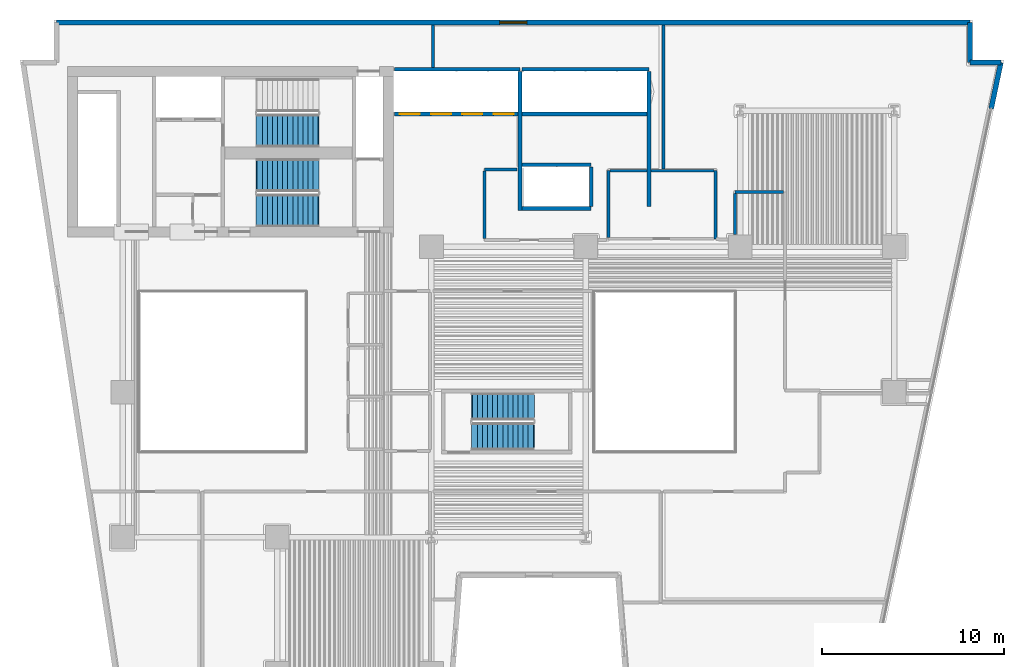
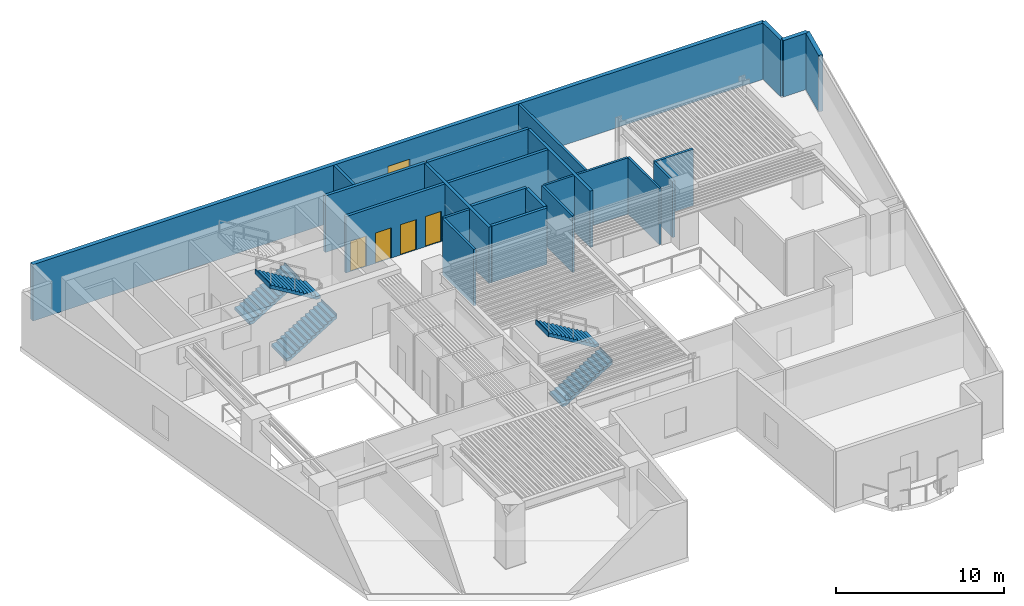
# One storey, part 6 of 11: 23 walls, 5 stair flights, 4 doors, 1 window, 5 openings, 3 elements without a shape of their own.
"""IFC4 building model written with IfcOpenShell, lengths in metres."""

from ifc_helpers import new_model, si_unit, direction, frame, frame_2d, origin, place, context, subcontext, project, spatial, polyline, rectangle, outline, extrude, material, layer, layer_set, type_object, element, fill, aggregate, save


model = new_model("IFC4")

# Units and contexts
model_context = context("Model", 3, precision=1e-05, world=origin(), true_north=direction((0.0, 1.0)))
body_context = subcontext(model_context, "Body", "Model", "MODEL_VIEW")
ifc_project = project(units=[si_unit("LENGTHUNIT", "METRE"), si_unit("AREAUNIT", "SQUARE_METRE"), si_unit("VOLUMEUNIT", "CUBIC_METRE"), si_unit("PLANEANGLEUNIT", "RADIAN"), si_unit("MASSUNIT", "GRAM", prefix="KILO")], contexts=[model_context])

# Site, building, storey
site_placement = place(None, origin())
site = spatial("IfcSite", under=ifc_project, at=site_placement, CompositionType="ELEMENT")
building_placement = place(site_placement, origin())
building = spatial("IfcBuilding", under=site, at=building_placement, Name="Caeloran Harvest Quay", CompositionType="ELEMENT")
storey_placement = place(building_placement, frame((0.0, 0.0, 40.199951171875)))
storey = spatial("IfcBuildingStorey", under=building, at=storey_placement, Name="L09", CompositionType="ELEMENT", Elevation=40.199951171875)

# Wall, opening, window
ifc_material_1 = material(Name="Precast concrete C50/60", Category="concrete")
ifc_layer_1 = layer(ifc_material_1, 0.280029296875, Name="Precast concrete C50/60")
ifc_layer_set_1 = layer_set([ifc_layer_1], Name="Precast concrete C50/60")
wall_type_1 = type_object("IfcWallType", Name="ENV-WALL-EW-280", PredefinedType="STANDARD", material=ifc_layer_set_1)
wall_1_placement = place(storey_placement, frame((4.840087890625, 43.360107421875, 0.0), z_axis=(0.0, 0.0, 1.0), x_axis=(1.0, 0.0, 0.0)))
wall_1 = element("IfcWall", 1, at=wall_1_placement, inside=storey, type_object=wall_type_1, Name="L09 Exterior Precast Concrete Facade Wall 6", PredefinedType="STANDARD", context=body_context, shape_type="SweptSolid", body=[
    extrude(rectangle(XDim=50.31982421875, YDim=0.280029296875, at=frame_2d((25.159912109375, 0.0))), origin(), (0.0, 0.0, 1.0), 4.10009765625),
])
opening_1_placement = place(wall_1_placement, frame((24.409912109375, 0.0, 0.89990234375)))
opening_1 = element("IfcOpeningElement", 2, at=opening_1_placement, cuts=wall_1, Name="Opening W-03", PredefinedType="OPENING", context=body_context, shape_type="SweptSolid", body=[
    extrude(rectangle(XDim=1.5, YDim=1.800048828125, at=frame_2d((0.75, 0.89990234375))), frame((0.0, 0.14990234375, 0.0), z_axis=(0.0, -1.0, 0.0), x_axis=(1.0, 0.0, 0.0)), (0.0, 0.0, 1.0), 0.300048828125),
])
ifc_material_2 = material(Name="Aluminium-Framed Low-E Laminated Glass", Category="aluminium")
window_type = type_object("IfcWindowType", Name="WIN-W-03", PartitioningType="SINGLE_PANEL", PredefinedType="WINDOW", material=ifc_material_2)
window_placement = place(opening_1_placement, origin())
window = element("IfcWindow", 3, at=window_placement, inside=storey, type_object=window_type, Name="L09 Facade Punched Window W-03", OverallHeight=1.800048828125, OverallWidth=1.5, PartitioningType="SINGLE_PANEL", PredefinedType="WINDOW", context=body_context, shape_type="SweptSolid", body=[
    extrude(rectangle(XDim=1.5, YDim=1.800048828125, at=frame_2d((0.75, 0.89990234375))), frame((0.0, 0.030029296875, 0.0), z_axis=(0.0, -1.0, 0.0), x_axis=(1.0, 0.0, 0.0)), (0.0, 0.0, 1.0), 0.06005859375),
])
fill(opening_1, window)

# Walls
wall_2_placement = place(storey_placement, frame((55.159912109375, 43.360107421875, 0.0), z_axis=(0.0, 0.0, 1.0), x_axis=(0.0, -1.0, 0.0)))
element("IfcWall", 4, at=wall_2_placement, inside=storey, type_object=wall_type_1, Name="L09 Exterior Precast Concrete Facade Wall 7", PredefinedType="STANDARD", context=body_context, shape_type="SweptSolid", body=[
    extrude(rectangle(XDim=2.2001953125, YDim=0.280029296875, at=frame_2d((1.10009765625, 0.0))), origin(), (0.0, 0.0, 1.0), 4.10009765625),
])
wall_3_placement = place(storey_placement, frame((55.159912109375, 41.159912109375, 0.0), z_axis=(0.0, 0.0, 1.0), x_axis=(1.0, 0.0, 0.0)))
element("IfcWall", 5, at=wall_3_placement, inside=storey, type_object=wall_type_1, Name="L09 Exterior Precast Concrete Facade Wall 8", PredefinedType="STANDARD", context=body_context, shape_type="SweptSolid", body=[
    extrude(rectangle(XDim=1.705322265625, YDim=0.280029296875, at=frame_2d((0.8525390625, 0.0))), origin(), (0.0, 0.0, 1.0), 4.10009765625),
])
wall_4_placement = place(storey_placement, frame((56.865234375, 41.159912109375, 0.0), z_axis=(0.0, 0.0, 1.0), x_axis=(-0.205551409765, -0.978646319128, 0.0)))
element("IfcWall", 6, at=wall_4_placement, inside=storey, type_object=wall_type_1, Name="L09 Exterior Facade Corner Pier Wall 9A", PredefinedType="STANDARD", context=body_context, shape_type="SweptSolid", body=[
    extrude(rectangle(XDim=2.599853515625, YDim=0.280029296875, at=frame_2d((1.2998046875, 0.0))), origin(), (0.0, 0.0, 1.0), 4.10009765625),
])
ifc_material_3 = material(Name="Autoclaved Aerated Concrete Blockwork and Plasterboard", Category="masonry")
ifc_layer_2 = layer(ifc_material_3, 0.14990234375, Name="Autoclaved Aerated Concrete Blockwork and Plasterboard")
ifc_layer_set_2 = layer_set([ifc_layer_2], Name="Autoclaved Aerated Concrete Blockwork and Plasterboard")
wall_type_2 = type_object("IfcWallType", Name="INT-WALL-PW-150", PredefinedType="PARTITIONING", material=ifc_layer_set_2)
wall_5_placement = place(storey_placement, frame((41.14990234375, 35.199951171875, 0.0), z_axis=(0.0, 0.0, 1.0), x_axis=(0.0, -1.0, 0.0)))
element("IfcWall", 7, at=wall_5_placement, inside=storey, type_object=wall_type_2, Name="L09 Core Telemetry Control Room Partition Wall", PredefinedType="PARTITIONING", context=body_context, shape_type="SweptSolid", body=[
    extrude(rectangle(XDim=3.75, YDim=0.14990234375, at=frame_2d((1.875, 0.0))), origin(), (0.0, 0.0, 1.0), 4.10009765625),
])
wall_6_placement = place(storey_placement, frame((35.25, 31.530029296875, 0.0), z_axis=(0.0, 0.0, 1.0), x_axis=(0.0, 1.0, 0.0)))
element("IfcWall", 8, at=wall_6_placement, inside=storey, type_object=wall_type_2, Name="L09 Core Telemetry Control Room Partition Wall", PredefinedType="PARTITIONING", context=body_context, shape_type="SweptSolid", body=[
    extrude(rectangle(XDim=3.669921875, YDim=0.14990234375, at=frame_2d((1.8349609375, 0.0))), origin(), (0.0, 0.0, 1.0), 4.10009765625),
])
wall_7_placement = place(storey_placement, frame((35.330078125, 35.199951171875, 0.0), z_axis=(0.0, 0.0, 1.0), x_axis=(1.0, 0.0, 0.0)))
element("IfcWall", 9, at=wall_7_placement, inside=storey, type_object=wall_type_2, Name="L09 Core Telemetry Control Room Partition Wall", PredefinedType="PARTITIONING", context=body_context, shape_type="SweptSolid", body=[
    extrude(rectangle(XDim=2.044921875, YDim=0.14990234375, at=frame_2d((1.0224609375, 0.0))), origin(), (0.0, 0.0, 1.0), 4.10009765625),
])
wall_8_placement = place(storey_placement, frame((37.5849609375, 35.199951171875, 0.0), z_axis=(0.0, 0.0, 1.0), x_axis=(1.0, 0.0, 0.0)))
element("IfcWall", 10, at=wall_8_placement, inside=storey, type_object=wall_type_2, Name="L09 Core Telemetry Control Room Partition Wall", PredefinedType="PARTITIONING", context=body_context, shape_type="SweptSolid", body=[
    extrude(rectangle(XDim=3.485107421875, YDim=0.14990234375, at=frame_2d((1.74267578125, 0.0))), origin(), (0.0, 0.0, 1.0), 4.10009765625),
])
ifc_material_4 = material(Name="Autoclaved Aerated Concrete Blockwork", Category="masonry")
ifc_layer_3 = layer(ifc_material_4, 0.1650390625, Name="Autoclaved Aerated Concrete Blockwork")
ifc_layer_set_3 = layer_set([ifc_layer_3], Name="Autoclaved Aerated Concrete Blockwork")
wall_type_3 = type_object("IfcWallType", Name="INT-WALL-PW-165", PredefinedType="PARTITIONING", material=ifc_layer_set_3)
wall_9_placement = place(storey_placement, frame((38.280029296875, 35.280029296875, 0.0), z_axis=(0.0, 0.0, 1.0), x_axis=(0.0, 1.0, 0.0)))
element("IfcWall", 11, at=wall_9_placement, inside=storey, type_object=wall_type_3, Name="Agronomy Break Kitchen Partition Wall", PredefinedType="PARTITIONING", context=body_context, shape_type="SweptSolid", body=[
    extrude(rectangle(XDim=7.93505859375, YDim=0.1650390625, at=frame_2d((3.967529296875, 0.0))), origin(), (0.0, 0.0, 1.0), 4.10009765625),
])
wall_10_placement = place(storey_placement, frame((44.892578125, 34.030029296875, 0.0), z_axis=(0.0, 0.0, 1.0), x_axis=(-1.0, 0.0, 0.0)))
element("IfcWall", 12, at=wall_10_placement, inside=storey, type_object=wall_type_3, Name="Agronomy Break Kitchen Partition Wall", PredefinedType="PARTITIONING", context=body_context, shape_type="SweptSolid", body=[
    extrude(rectangle(XDim=2.672607421875, YDim=0.1650390625, at=frame_2d((1.33642578125, 0.0))), origin(), (0.0, 0.0, 1.0), 4.10009765625),
])
wall_11_placement = place(storey_placement, frame((42.219970703125, 33.9423828125, 0.0), z_axis=(0.0, 0.0, 1.0), x_axis=(0.0, -1.0, 0.0)))
element("IfcWall", 13, at=wall_11_placement, inside=storey, type_object=wall_type_3, Name="Agronomy Break Kitchen Partition Wall", PredefinedType="PARTITIONING", context=body_context, shape_type="SweptSolid", body=[
    extrude(rectangle(XDim=2.267333984375, YDim=0.1650390625, at=frame_2d((1.1337890625, 0.0))), origin(), (0.0, 0.0, 1.0), 4.10009765625),
])
wall_12_placement = place(storey_placement, frame((28.429931640625, 35.27001953125, 0.0), z_axis=(0.0, 0.0, 1.0), x_axis=(1.0, 0.0, 0.0)))
element("IfcWall", 14, at=wall_12_placement, inside=storey, type_object=wall_type_3, Name="Saffron and Herb Vertical Growing Room 9 Partition Wall", PredefinedType="PARTITIONING", context=body_context, shape_type="SweptSolid", body=[
    extrude(rectangle(XDim=1.7900390625, YDim=0.1650390625, at=frame_2d((0.89501953125, 0.0))), origin(), (0.0, 0.0, 1.0), 4.10009765625),
])
wall_13_placement = place(storey_placement, frame((25.580078125, 40.885009765625, 0.0), z_axis=(0.0, 0.0, 1.0), x_axis=(0.0, 1.0, 0.0)))
element("IfcWall", 15, at=wall_13_placement, inside=storey, type_object=wall_type_3, Name="Saffron and Herb Vertical Growing Room 9 Partition Wall", PredefinedType="PARTITIONING", context=body_context, shape_type="SweptSolid", body=[
    extrude(rectangle(XDim=2.330078125, YDim=0.1650390625, at=frame_2d((1.1650390625, 0.0))), origin(), (0.0, 0.0, 1.0), 4.10009765625),
])
wall_14_placement = place(storey_placement, frame((28.429931640625, 31.467529296875, 0.0), z_axis=(0.0, 0.0, 1.0), x_axis=(0.0, 1.0, 0.0)))
element("IfcWall", 16, at=wall_14_placement, inside=storey, type_object=wall_type_3, Name="Saffron and Herb Vertical Growing Room 9 Partition Wall", PredefinedType="PARTITIONING", context=body_context, shape_type="SweptSolid", body=[
    extrude(rectangle(XDim=3.715087890625, YDim=0.1650390625, at=frame_2d((1.857421875, 0.0))), origin(), (0.0, 0.0, 1.0), 4.10009765625),
])
ifc_material_5 = material(Name="Concrete C50/60", Category="concrete")
ifc_layer_4 = layer(ifc_material_5, 0.199951171875, Name="Concrete C50/60")
ifc_layer_set_4 = layer_set([ifc_layer_4], Name="Concrete C50/60")
wall_type_4 = type_object("IfcWallType", Name="INT-WALL-SW-200", PredefinedType="PARTITIONING", material=ifc_layer_set_4)
wall_15_placement = place(storey_placement, frame((23.469970703125, 40.780029296875, 0.0), z_axis=(0.0, 0.0, 1.0), x_axis=(1.0, 0.0, 0.0)))
element("IfcWall", 17, at=wall_15_placement, inside=storey, type_object=wall_type_4, Name="L09 Bank 1 Lift Shaft North Wall", PredefinedType="PARTITIONING", context=body_context, shape_type="SweptSolid", body=[
    extrude(rectangle(XDim=6.909912109375, YDim=0.199951171875, at=frame_2d((3.455078125, 0.0))), origin(), (0.0, 0.0, 1.0), 4.10009765625),
])
wall_16_placement = place(storey_placement, frame((30.3798828125, 33.02001953125, 0.0), z_axis=(0.0, 0.0, 1.0), x_axis=(0.0, 1.0, 0.0)))
element("IfcWall", 18, at=wall_16_placement, inside=storey, type_object=wall_type_4, Name="L09 Bank 1 Lift Shaft East Wall", PredefinedType="PARTITIONING", context=body_context, shape_type="SweptSolid", body=[
    extrude(rectangle(XDim=7.639892578125, YDim=0.199951171875, at=frame_2d((3.81982421875, 0.0))), origin(), (0.0, 0.0, 1.0), 4.10009765625),
])

# Wall, openings, doors
wall_17_placement = place(storey_placement, frame((23.469970703125, 38.320068359375, 0.0), z_axis=(0.0, 0.0, 1.0), x_axis=(1.0, 0.0, 0.0)))
wall_17 = element("IfcWall", 19, at=wall_17_placement, inside=storey, type_object=wall_type_4, Name="L09 Bank 1 Lift Landing Front Wall", PredefinedType="PARTITIONING", context=body_context, shape_type="SweptSolid", body=[
    extrude(rectangle(XDim=6.7900390625, YDim=0.199951171875, at=frame_2d((3.39501953125, 0.0))), origin(), (0.0, 0.0, 1.0), 4.10009765625),
])
opening_2_placement = place(wall_17_placement, frame((0.2900390625, 0.0, 0.0)))
opening_2 = element("IfcOpeningElement", 20, at=opening_2_placement, cuts=wall_17, Name="Opening LD-01", PredefinedType="OPENING", context=body_context, shape_type="SweptSolid", body=[
    extrude(rectangle(XDim=1.10009765625, YDim=2.199951171875, at=frame_2d((0.550048828125, 1.10009765625))), frame((0.0, 0.10986328125, 0.0), z_axis=(0.0, -1.0, 0.0), x_axis=(1.0, 0.0, 0.0)), (0.0, 0.0, 1.0), 0.219970703125),
])
opening_3_placement = place(wall_17_placement, frame((2.010009765625, 0.0, 0.0)))
opening_3 = element("IfcOpeningElement", 21, at=opening_3_placement, cuts=wall_17, Name="Opening LD-01", PredefinedType="OPENING", context=body_context, shape_type="SweptSolid", body=[
    extrude(rectangle(XDim=1.10009765625, YDim=2.199951171875, at=frame_2d((0.550048828125, 1.10009765625))), frame((0.0, 0.10986328125, 0.0), z_axis=(0.0, -1.0, 0.0), x_axis=(1.0, 0.0, 0.0)), (0.0, 0.0, 1.0), 0.219970703125),
])
opening_4_placement = place(wall_17_placement, frame((3.72998046875, 0.0, 0.0)))
opening_4 = element("IfcOpeningElement", 22, at=opening_4_placement, cuts=wall_17, Name="Opening LD-01", PredefinedType="OPENING", context=body_context, shape_type="SweptSolid", body=[
    extrude(rectangle(XDim=1.10009765625, YDim=2.199951171875, at=frame_2d((0.550048828125, 1.10009765625))), frame((0.0, 0.10986328125, 0.0), z_axis=(0.0, -1.0, 0.0), x_axis=(1.0, 0.0, 0.0)), (0.0, 0.0, 1.0), 0.219970703125),
])
opening_5_placement = place(wall_17_placement, frame((5.449951171875, 0.0, 0.0)))
opening_5 = element("IfcOpeningElement", 23, at=opening_5_placement, cuts=wall_17, Name="Opening LD-01", PredefinedType="OPENING", context=body_context, shape_type="SweptSolid", body=[
    extrude(rectangle(XDim=1.10009765625, YDim=2.199951171875, at=frame_2d((0.550048828125, 1.10009765625))), frame((0.0, 0.10986328125, 0.0), z_axis=(0.0, -1.0, 0.0), x_axis=(1.0, 0.0, 0.0)), (0.0, 0.0, 1.0), 0.219970703125),
])
ifc_material_6 = material(Name="Stainless Steel Grade 316", Category="steel")
door_type = type_object("IfcDoorType", Name="INTDOOR-LD-01", OperationType="NOTDEFINED", PredefinedType="DOOR", material=ifc_material_6)
door_1_placement = place(opening_2_placement, origin())
door_1 = element("IfcDoor", 24, at=door_1_placement, inside=storey, type_object=door_type, Name="Lift P1-1 Sliding Landing Door (L09)", OperationType="DOUBLE_DOOR_SLIDING", OverallHeight=2.199951171875, OverallWidth=1.10009765625, PredefinedType="DOOR", context=body_context, shape_type="SweptSolid", body=[
    extrude(rectangle(XDim=1.10009765625, YDim=2.199951171875, at=frame_2d((0.550048828125, 1.10009765625))), frame((0.0, 0.02490234375, 0.0), z_axis=(0.0, -1.0, 0.0), x_axis=(1.0, 0.0, 0.0)), (0.0, 0.0, 1.0), 0.050048828125),
])
fill(opening_2, door_1)
door_2_placement = place(opening_3_placement, origin())
door_2 = element("IfcDoor", 25, at=door_2_placement, inside=storey, type_object=door_type, Name="Lift P1-2 Sliding Landing Door (L09)", OperationType="DOUBLE_DOOR_SLIDING", OverallHeight=2.199951171875, OverallWidth=1.10009765625, PredefinedType="DOOR", context=body_context, shape_type="SweptSolid", body=[
    extrude(rectangle(XDim=1.10009765625, YDim=2.199951171875, at=frame_2d((0.550048828125, 1.10009765625))), frame((0.0, 0.02490234375, 0.0), z_axis=(0.0, -1.0, 0.0), x_axis=(1.0, 0.0, 0.0)), (0.0, 0.0, 1.0), 0.050048828125),
])
fill(opening_3, door_2)
door_3_placement = place(opening_4_placement, origin())
door_3 = element("IfcDoor", 26, at=door_3_placement, inside=storey, type_object=door_type, Name="Lift P1-3 Sliding Landing Door (L09)", OperationType="DOUBLE_DOOR_SLIDING", OverallHeight=2.199951171875, OverallWidth=1.10009765625, PredefinedType="DOOR", context=body_context, shape_type="SweptSolid", body=[
    extrude(rectangle(XDim=1.10009765625, YDim=2.199951171875, at=frame_2d((0.550048828125, 1.10009765625))), frame((0.0, 0.02490234375, 0.0), z_axis=(0.0, -1.0, 0.0), x_axis=(1.0, 0.0, 0.0)), (0.0, 0.0, 1.0), 0.050048828125),
])
fill(opening_4, door_3)
door_4_placement = place(opening_5_placement, origin())
door_4 = element("IfcDoor", 27, at=door_4_placement, inside=storey, type_object=door_type, Name="Lift P1-4 Sliding Landing Door (L09)", OperationType="DOUBLE_DOOR_SLIDING", OverallHeight=2.199951171875, OverallWidth=1.10009765625, PredefinedType="DOOR", context=body_context, shape_type="SweptSolid", body=[
    extrude(rectangle(XDim=1.10009765625, YDim=2.199951171875, at=frame_2d((0.550048828125, 1.10009765625))), frame((0.0, 0.02490234375, 0.0), z_axis=(0.0, -1.0, 0.0), x_axis=(1.0, 0.0, 0.0)), (0.0, 0.0, 1.0), 0.050048828125),
])
fill(opening_5, door_4)

# Walls
wall_18_placement = place(storey_placement, frame((30.5, 40.780029296875, 0.0), z_axis=(0.0, 0.0, 1.0), x_axis=(1.0, 0.0, 0.0)))
element("IfcWall", 28, at=wall_18_placement, inside=storey, type_object=wall_type_4, Name="L09 Bank 2 Lift Shaft North Wall", PredefinedType="PARTITIONING", context=body_context, shape_type="SweptSolid", body=[
    extrude(rectangle(XDim=6.97998046875, YDim=0.199951171875, at=frame_2d((3.489990234375, 0.0))), origin(), (0.0, 0.0, 1.0), 4.10009765625),
])
wall_19_placement = place(storey_placement, frame((37.47998046875, 33.239990234375, 0.0), z_axis=(0.0, 0.0, 1.0), x_axis=(0.0, 1.0, 0.0)))
element("IfcWall", 29, at=wall_19_placement, inside=storey, type_object=wall_type_4, Name="L09 Bank 2 Lift Shaft East Wall", PredefinedType="PARTITIONING", context=body_context, shape_type="SweptSolid", body=[
    extrude(rectangle(XDim=7.419921875, YDim=0.199951171875, at=frame_2d((3.7099609375, 0.0))), origin(), (0.0, 0.0, 1.0), 4.10009765625),
])
wall_20_placement = place(storey_placement, frame((30.5, 38.320068359375, 0.0), z_axis=(0.0, 0.0, 1.0), x_axis=(1.0, 0.0, 0.0)))
element("IfcWall", 30, at=wall_20_placement, inside=storey, type_object=wall_type_4, Name="L09 Bank 2 Lift Landing Front Wall", PredefinedType="PARTITIONING", context=body_context, shape_type="SweptSolid", body=[
    extrude(rectangle(XDim=6.860107421875, YDim=0.199951171875, at=frame_2d((3.43017578125, 0.0))), origin(), (0.0, 0.0, 1.0), 4.10009765625),
])
for number, where, z_axis, x_axis, name in (
    (31, (30.5, 35.530029296875, 0.0), (0.0, 0.0, 1.0), (1.0, 0.0, 0.0), "L09 Shuttle Lift Landing Front Wall"),
    (32, (30.5, 33.1201171875, 0.0), (0.0, 0.0, 1.0), (1.0, 0.0, 0.0), "L09 Shuttle Lift Shaft South Wall"),
):
    element("IfcWall", number, at=place(storey_placement, frame(where, z_axis=z_axis, x_axis=x_axis)), inside=storey, type_object=wall_type_4, Name=name, PredefinedType="PARTITIONING", context=body_context, shape_type="SweptSolid", body=[
        extrude(rectangle(XDim=3.800048828125, YDim=0.199951171875, at=frame_2d((1.89990234375, 0.0))), origin(), (0.0, 0.0, 1.0), 4.10009765625),
    ])
wall_21_placement = place(storey_placement, frame((34.300048828125, 33.239990234375, 0.0), z_axis=(0.0, 0.0, 1.0), x_axis=(0.0, 1.0, 0.0)))
element("IfcWall", 33, at=wall_21_placement, inside=storey, type_object=wall_type_4, Name="L09 Shuttle Lift Shaft East Wall", PredefinedType="PARTITIONING", context=body_context, shape_type="SweptSolid", body=[
    extrude(rectangle(XDim=2.169921875, YDim=0.199951171875, at=frame_2d((1.0849609375, 0.0))), origin(), (0.0, 0.0, 1.0), 4.10009765625),
])

# Stair, stair flight
stair_type_1 = type_object("IfcStairType", Name="STAIR-STC-180", PredefinedType="HALF_TURN_STAIR", material=ifc_material_5)
stair_1_placement = place(storey_placement, origin())
stair_1 = element("IfcStair", 34, at=stair_1_placement, inside=storey, type_object=stair_type_1, Name="L09 Core Pressurized Exit Stair ST-C1", PredefinedType="HALF_TURN_STAIR")
stair_flight_type_1 = type_object("IfcStairFlightType", Name="FLIGHT-STC-180", PredefinedType="STRAIGHT", material=ifc_material_5)
stair_flight_1_placement = place(storey_placement, frame((15.89990234375, 37.39990234375, 0.0), z_axis=(0.0, 0.0, 1.0), x_axis=(1.0, 0.0, 0.0)))
stair_flight_1 = element("IfcStairFlight", 35, at=stair_flight_1_placement, type_object=stair_flight_type_1, Name="ST-C1 flight 1", NumberOfRisers=13, NumberOfTreads=12, PredefinedType="STRAIGHT", RiserHeight=0.169230769, TreadLength=0.28, context=body_context, shape_type="SweptSolid", body=[
    extrude(outline(polyline([(-0.054931640625, -0.044921875), (-0.054931640625, -0.031494140625), (-0.054931640625, -0.018310546875), (-0.054931640625, -0.0048828125), (-0.054931640625, 0.008544921875), (-0.054931640625, 0.02197265625), (-0.054931640625, 0.035400390625), (-0.054931640625, 0.048828125), (-0.054931640625, 0.06201171875), (-0.054931640625, 0.075439453125), (-0.054931640625, 0.0888671875), (-0.054931640625, 0.102294921875), (-0.054931640625, 0.11572265625), (-0.054931640625, 0.129150390625), (-0.054931640625, 0.142333984375), (-0.054931640625, 0.15576171875), (-0.054931640625, 0.169189453125), (0.280029296875, 0.169189453125), (0.280029296875, 0.33837890625), (0.56005859375, 0.33837890625), (0.56005859375, 0.5078125), (0.840087890625, 0.5078125), (0.840087890625, 0.677001953125), (1.1201171875, 0.677001953125), (1.1201171875, 0.84619140625), (1.39990234375, 0.84619140625), (1.39990234375, 1.015380859375), (1.679931640625, 1.015380859375), (1.679931640625, 1.1845703125), (1.9599609375, 1.1845703125), (1.9599609375, 1.353759765625), (2.239990234375, 1.353759765625), (2.239990234375, 1.523193359375), (2.52001953125, 1.523193359375), (2.52001953125, 1.6923828125), (2.800048828125, 1.6923828125), (2.800048828125, 1.861572265625), (3.080078125, 1.861572265625), (3.080078125, 2.03076171875), (3.360107421875, 2.03076171875), (3.360107421875, 2.199951171875), (3.4150390625, 2.199951171875), (3.4150390625, 2.178466796875), (3.4150390625, 2.156982421875), (3.4150390625, 2.135498046875), (3.4150390625, 2.114013671875), (3.4150390625, 2.09228515625), (3.4150390625, 2.07080078125), (3.4150390625, 2.04931640625), (3.4150390625, 2.02783203125), (3.4150390625, 2.00634765625), (3.4150390625, 1.98486328125), (3.4150390625, 1.963134765625), (3.4150390625, 1.941650390625), (3.4150390625, 1.920166015625), (3.4150390625, 1.898681640625), (3.4150390625, 1.877197265625), (3.4150390625, 1.855712890625), (3.360107421875, 1.855712890625), (0.21533203125, -0.044921875), (-0.054931640625, -0.044921875)])), frame((0.0, 0.89990234375, 0.0), z_axis=(0.0, -1.0, 0.0), x_axis=(1.0, 0.0, 0.0)), (0.0, 0.0, 1.0), 1.800048828125),
])
aggregate(stair_1, [stair_flight_1])

# Stair, stair flights
stair_2_placement = place(storey_placement, origin())
stair_2 = element("IfcStair", 36, at=stair_2_placement, inside=storey, type_object=stair_type_1, Name="L09 Core Pressurized Exit Stair ST-C2", PredefinedType="HALF_TURN_STAIR")
stair_flight_2_placement = place(storey_placement, frame((15.89990234375, 33.0, 0.0), z_axis=(0.0, 0.0, 1.0), x_axis=(1.0, 0.0, 0.0)))
stair_flight_2 = element("IfcStairFlight", 37, at=stair_flight_2_placement, type_object=stair_flight_type_1, Name="ST-C2 flight 1", NumberOfRisers=13, NumberOfTreads=12, PredefinedType="STRAIGHT", RiserHeight=0.169230769, TreadLength=0.28, context=body_context, shape_type="SweptSolid", body=[
    extrude(outline(polyline([(-0.054931640625, -0.044921875), (-0.054931640625, -0.031494140625), (-0.054931640625, -0.018310546875), (-0.054931640625, -0.0048828125), (-0.054931640625, 0.008544921875), (-0.054931640625, 0.02197265625), (-0.054931640625, 0.035400390625), (-0.054931640625, 0.048828125), (-0.054931640625, 0.06201171875), (-0.054931640625, 0.075439453125), (-0.054931640625, 0.0888671875), (-0.054931640625, 0.102294921875), (-0.054931640625, 0.11572265625), (-0.054931640625, 0.129150390625), (-0.054931640625, 0.142333984375), (-0.054931640625, 0.15576171875), (-0.054931640625, 0.169189453125), (0.280029296875, 0.169189453125), (0.280029296875, 0.33837890625), (0.56005859375, 0.33837890625), (0.56005859375, 0.5078125), (0.840087890625, 0.5078125), (0.840087890625, 0.677001953125), (1.1201171875, 0.677001953125), (1.1201171875, 0.84619140625), (1.39990234375, 0.84619140625), (1.39990234375, 1.015380859375), (1.679931640625, 1.015380859375), (1.679931640625, 1.1845703125), (1.9599609375, 1.1845703125), (1.9599609375, 1.353759765625), (2.239990234375, 1.353759765625), (2.239990234375, 1.523193359375), (2.52001953125, 1.523193359375), (2.52001953125, 1.6923828125), (2.800048828125, 1.6923828125), (2.800048828125, 1.861572265625), (3.080078125, 1.861572265625), (3.080078125, 2.03076171875), (3.360107421875, 2.03076171875), (3.360107421875, 2.199951171875), (3.4150390625, 2.199951171875), (3.4150390625, 2.178466796875), (3.4150390625, 2.156982421875), (3.4150390625, 2.135498046875), (3.4150390625, 2.114013671875), (3.4150390625, 2.09228515625), (3.4150390625, 2.07080078125), (3.4150390625, 2.04931640625), (3.4150390625, 2.02783203125), (3.4150390625, 2.00634765625), (3.4150390625, 1.98486328125), (3.4150390625, 1.963134765625), (3.4150390625, 1.941650390625), (3.4150390625, 1.920166015625), (3.4150390625, 1.898681640625), (3.4150390625, 1.877197265625), (3.4150390625, 1.855712890625), (3.360107421875, 1.855712890625), (0.21533203125, -0.044921875), (-0.054931640625, -0.044921875)])), frame((0.0, 0.89990234375, 0.0), z_axis=(0.0, -1.0, 0.0), x_axis=(1.0, 0.0, 0.0)), (0.0, 0.0, 1.0), 1.800048828125),
])
stair_flight_3_placement = place(storey_placement, frame((19.260009765625, 34.949951171875, 2.199951171875), z_axis=(0.0, 0.0, 1.0), x_axis=(-1.0, 0.0, 0.0)))
stair_flight_3 = element("IfcStairFlight", 38, at=stair_flight_3_placement, type_object=stair_flight_type_1, Name="ST-C2 flight 2", NumberOfRisers=13, NumberOfTreads=12, PredefinedType="STRAIGHT", RiserHeight=0.169230769, TreadLength=0.28, context=body_context, shape_type="SweptSolid", body=[
    extrude(outline(polyline([(-0.054931640625, -0.044921875), (-0.054931640625, -0.031494140625), (-0.054931640625, -0.018310546875), (-0.054931640625, -0.0048828125), (-0.054931640625, 0.008544921875), (-0.054931640625, 0.02197265625), (-0.054931640625, 0.035400390625), (-0.054931640625, 0.048828125), (-0.054931640625, 0.06201171875), (-0.054931640625, 0.075439453125), (-0.054931640625, 0.0888671875), (-0.054931640625, 0.102294921875), (-0.054931640625, 0.11572265625), (-0.054931640625, 0.129150390625), (-0.054931640625, 0.142333984375), (-0.054931640625, 0.15576171875), (-0.054931640625, 0.169189453125), (0.280029296875, 0.169189453125), (0.280029296875, 0.33837890625), (0.56005859375, 0.33837890625), (0.56005859375, 0.5078125), (0.840087890625, 0.5078125), (0.840087890625, 0.677001953125), (1.1201171875, 0.677001953125), (1.1201171875, 0.84619140625), (1.39990234375, 0.84619140625), (1.39990234375, 1.015380859375), (1.679931640625, 1.015380859375), (1.679931640625, 1.1845703125), (1.9599609375, 1.1845703125), (1.9599609375, 1.353759765625), (2.239990234375, 1.353759765625), (2.239990234375, 1.523193359375), (2.52001953125, 1.523193359375), (2.52001953125, 1.6923828125), (2.800048828125, 1.6923828125), (2.800048828125, 1.861572265625), (3.080078125, 1.861572265625), (3.080078125, 2.03076171875), (3.360107421875, 2.03076171875), (3.360107421875, 2.199951171875), (3.4150390625, 2.199951171875), (3.4150390625, 2.178466796875), (3.4150390625, 2.156982421875), (3.4150390625, 2.135498046875), (3.4150390625, 2.114013671875), (3.4150390625, 2.09228515625), (3.4150390625, 2.07080078125), (3.4150390625, 2.04931640625), (3.4150390625, 2.02783203125), (3.4150390625, 2.00634765625), (3.4150390625, 1.98486328125), (3.4150390625, 1.963134765625), (3.4150390625, 1.941650390625), (3.4150390625, 1.920166015625), (3.4150390625, 1.898681640625), (3.4150390625, 1.877197265625), (3.4150390625, 1.855712890625), (3.360107421875, 1.855712890625), (0.21533203125, -0.044921875), (-0.054931640625, -0.044921875)])), frame((0.0, 0.89990234375, 0.0), z_axis=(0.0, -1.0, 0.0), x_axis=(1.0, 0.0, 0.0)), (0.0, 0.0, 1.0), 1.800048828125),
])
aggregate(stair_2, [stair_flight_2, stair_flight_3])

stair_type_2 = type_object("IfcStairType", Name="STAIR-STW-150", PredefinedType="HALF_TURN_STAIR", material=ifc_material_5)
stair_3_placement = place(storey_placement, origin())
stair_3 = element("IfcStair", 39, at=stair_3_placement, inside=storey, type_object=stair_type_2, Name="L09 East Wing Protected Exit Stair ST-W1", PredefinedType="HALF_TURN_STAIR")
stair_flight_type_2 = type_object("IfcStairFlightType", Name="FLIGHT-STW-150", PredefinedType="STRAIGHT", material=ifc_material_5)
stair_flight_4_placement = place(storey_placement, frame((27.75, 20.550048828125, 0.0), z_axis=(0.0, 0.0, 1.0), x_axis=(1.0, 0.0, 0.0)))
stair_flight_4 = element("IfcStairFlight", 40, at=stair_flight_4_placement, type_object=stair_flight_type_2, Name="ST-W1 flight 1", NumberOfRisers=13, NumberOfTreads=12, PredefinedType="STRAIGHT", RiserHeight=0.169230769, TreadLength=0.28, context=body_context, shape_type="SweptSolid", body=[
    extrude(outline(polyline([(-0.054931640625, -0.044921875), (-0.054931640625, -0.031494140625), (-0.054931640625, -0.018310546875), (-0.054931640625, -0.0048828125), (-0.054931640625, 0.008544921875), (-0.054931640625, 0.02197265625), (-0.054931640625, 0.035400390625), (-0.054931640625, 0.048828125), (-0.054931640625, 0.06201171875), (-0.054931640625, 0.075439453125), (-0.054931640625, 0.0888671875), (-0.054931640625, 0.102294921875), (-0.054931640625, 0.11572265625), (-0.054931640625, 0.129150390625), (-0.054931640625, 0.142333984375), (-0.054931640625, 0.15576171875), (-0.054931640625, 0.169189453125), (0.280029296875, 0.169189453125), (0.280029296875, 0.33837890625), (0.56005859375, 0.33837890625), (0.56005859375, 0.5078125), (0.840087890625, 0.5078125), (0.840087890625, 0.677001953125), (1.1201171875, 0.677001953125), (1.1201171875, 0.84619140625), (1.39990234375, 0.84619140625), (1.39990234375, 1.015380859375), (1.679931640625, 1.015380859375), (1.679931640625, 1.1845703125), (1.9599609375, 1.1845703125), (1.9599609375, 1.353759765625), (2.239990234375, 1.353759765625), (2.239990234375, 1.523193359375), (2.52001953125, 1.523193359375), (2.52001953125, 1.6923828125), (2.800048828125, 1.6923828125), (2.800048828125, 1.861572265625), (3.080078125, 1.861572265625), (3.080078125, 2.03076171875), (3.360107421875, 2.03076171875), (3.360107421875, 2.199951171875), (3.4150390625, 2.199951171875), (3.4150390625, 2.178466796875), (3.4150390625, 2.156982421875), (3.4150390625, 2.135498046875), (3.4150390625, 2.114013671875), (3.4150390625, 2.09228515625), (3.4150390625, 2.07080078125), (3.4150390625, 2.04931640625), (3.4150390625, 2.02783203125), (3.4150390625, 2.00634765625), (3.4150390625, 1.98486328125), (3.4150390625, 1.963134765625), (3.4150390625, 1.941650390625), (3.4150390625, 1.920166015625), (3.4150390625, 1.898681640625), (3.4150390625, 1.877197265625), (3.4150390625, 1.855712890625), (3.360107421875, 1.855712890625), (0.21533203125, -0.044921875), (-0.054931640625, -0.044921875)])), frame((0.0, 0.75, 0.0), z_axis=(0.0, -1.0, 0.0), x_axis=(1.0, 0.0, 0.0)), (0.0, 0.0, 1.0), 1.5),
])
stair_flight_5_placement = place(storey_placement, frame((31.110107421875, 22.199951171875, 2.199951171875), z_axis=(0.0, 0.0, 1.0), x_axis=(-1.0, 0.0, 0.0)))
stair_flight_5 = element("IfcStairFlight", 41, at=stair_flight_5_placement, type_object=stair_flight_type_2, Name="ST-W1 flight 2", NumberOfRisers=13, NumberOfTreads=12, PredefinedType="STRAIGHT", RiserHeight=0.169230769, TreadLength=0.28, context=body_context, shape_type="SweptSolid", body=[
    extrude(outline(polyline([(-0.054931640625, -0.044921875), (-0.054931640625, -0.031494140625), (-0.054931640625, -0.018310546875), (-0.054931640625, -0.0048828125), (-0.054931640625, 0.008544921875), (-0.054931640625, 0.02197265625), (-0.054931640625, 0.035400390625), (-0.054931640625, 0.048828125), (-0.054931640625, 0.06201171875), (-0.054931640625, 0.075439453125), (-0.054931640625, 0.0888671875), (-0.054931640625, 0.102294921875), (-0.054931640625, 0.11572265625), (-0.054931640625, 0.129150390625), (-0.054931640625, 0.142333984375), (-0.054931640625, 0.15576171875), (-0.054931640625, 0.169189453125), (0.280029296875, 0.169189453125), (0.280029296875, 0.33837890625), (0.56005859375, 0.33837890625), (0.56005859375, 0.5078125), (0.840087890625, 0.5078125), (0.840087890625, 0.677001953125), (1.1201171875, 0.677001953125), (1.1201171875, 0.84619140625), (1.39990234375, 0.84619140625), (1.39990234375, 1.015380859375), (1.679931640625, 1.015380859375), (1.679931640625, 1.1845703125), (1.9599609375, 1.1845703125), (1.9599609375, 1.353759765625), (2.239990234375, 1.353759765625), (2.239990234375, 1.523193359375), (2.52001953125, 1.523193359375), (2.52001953125, 1.6923828125), (2.800048828125, 1.6923828125), (2.800048828125, 1.861572265625), (3.080078125, 1.861572265625), (3.080078125, 2.03076171875), (3.360107421875, 2.03076171875), (3.360107421875, 2.199951171875), (3.4150390625, 2.199951171875), (3.4150390625, 2.178466796875), (3.4150390625, 2.156982421875), (3.4150390625, 2.135498046875), (3.4150390625, 2.114013671875), (3.4150390625, 2.09228515625), (3.4150390625, 2.07080078125), (3.4150390625, 2.04931640625), (3.4150390625, 2.02783203125), (3.4150390625, 2.00634765625), (3.4150390625, 1.98486328125), (3.4150390625, 1.963134765625), (3.4150390625, 1.941650390625), (3.4150390625, 1.920166015625), (3.4150390625, 1.898681640625), (3.4150390625, 1.877197265625), (3.4150390625, 1.855712890625), (3.360107421875, 1.855712890625), (0.21533203125, -0.044921875), (-0.054931640625, -0.044921875)])), frame((0.0, 0.75, 0.0), z_axis=(0.0, -1.0, 0.0), x_axis=(1.0, 0.0, 0.0)), (0.0, 0.0, 1.0), 1.5),
])
aggregate(stair_3, [stair_flight_4, stair_flight_5])

save(model, "model.ifc")
